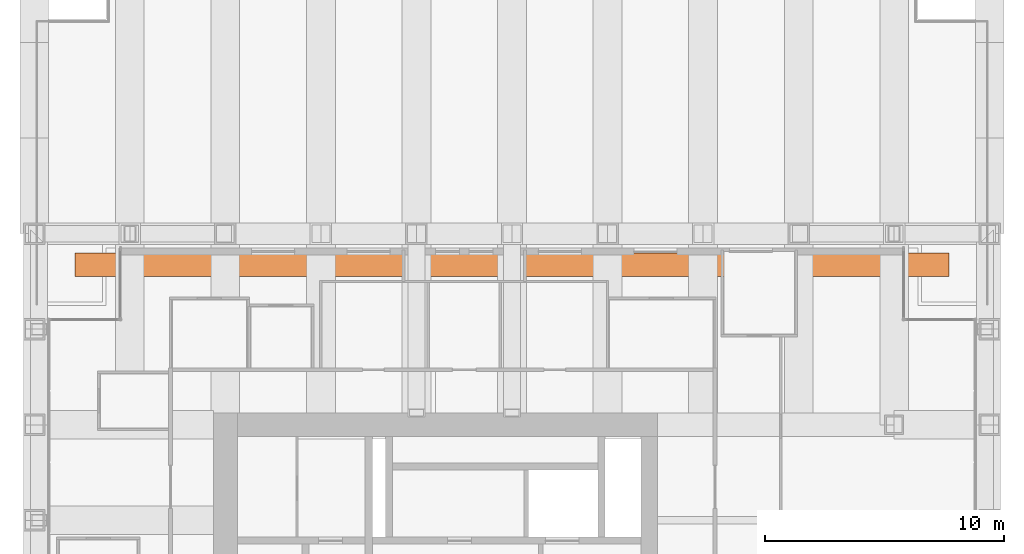
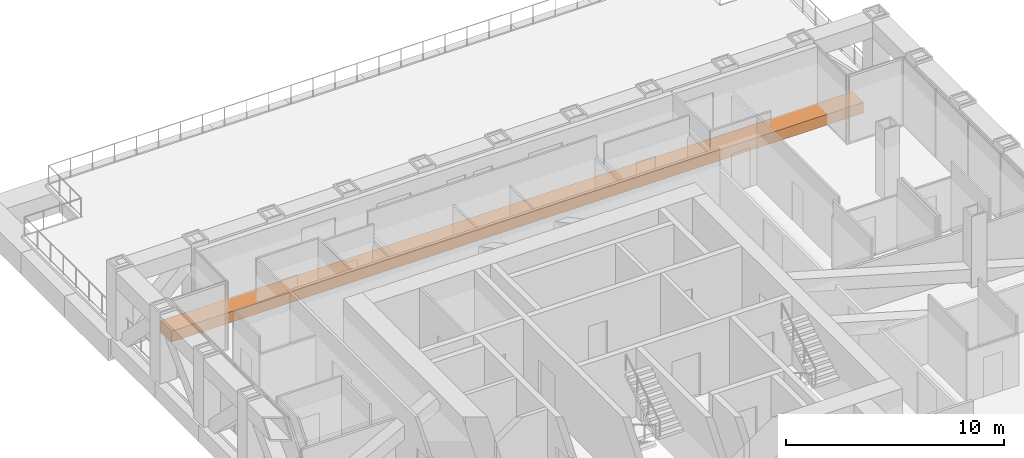
# One storey, part 17 of 17: 1 proxy.
"""IFC4 building model written with IfcOpenShell, lengths in metres."""

from ifc_helpers import new_model, si_unit, direction, frame, origin, origin_2d, place, context, subcontext, project, spatial, rectangle, extrude, element, save


model = new_model("IFC4")

# Units and contexts
model_context = context("Model", 3, precision=1e-05, world=origin(), true_north=direction((0.0, 1.0)))
body_context = subcontext(model_context, "Body", "Model", "MODEL_VIEW")
ifc_project = project(units=[si_unit("LENGTHUNIT", "METRE"), si_unit("AREAUNIT", "SQUARE_METRE"), si_unit("VOLUMEUNIT", "CUBIC_METRE"), si_unit("PLANEANGLEUNIT", "RADIAN"), si_unit("MASSUNIT", "GRAM", prefix="KILO")], contexts=[model_context])

# Site, building, storey
site_placement = place(None, origin())
site = spatial("IfcSite", under=ifc_project, at=site_placement, CompositionType="ELEMENT")
building_placement = place(site_placement, origin())
building = spatial("IfcBuilding", under=site, at=building_placement, Name="Rimbunsela Tower", CompositionType="ELEMENT")
storey_placement = place(building_placement, frame((0.0, 0.0, 238.199951171875)))
storey = spatial("IfcBuildingStorey", under=building, at=storey_placement, Name="L57", CompositionType="ELEMENT", Elevation=238.199951171875)

# Proxy
proxy_placement = place(storey_placement, frame((30.0, 42.699951171875, 0.0), z_axis=(0.0, 0.0, 1.0), x_axis=(1.0, 0.0, 0.0)))
element("IfcBuildingElementProxy", 1, at=proxy_placement, inside=storey, Name="Terrace planter L57", ObjectType="PLANTER", PredefinedType="USERDEFINED", context=body_context, shape_type="SweptSolid", body=[
    extrude(rectangle(XDim=36.60009765625, YDim=1.0, at=origin_2d()), origin(), (0.0, 0.0, 1.0), 0.60009765625),
])

save(model, "model.ifc")
